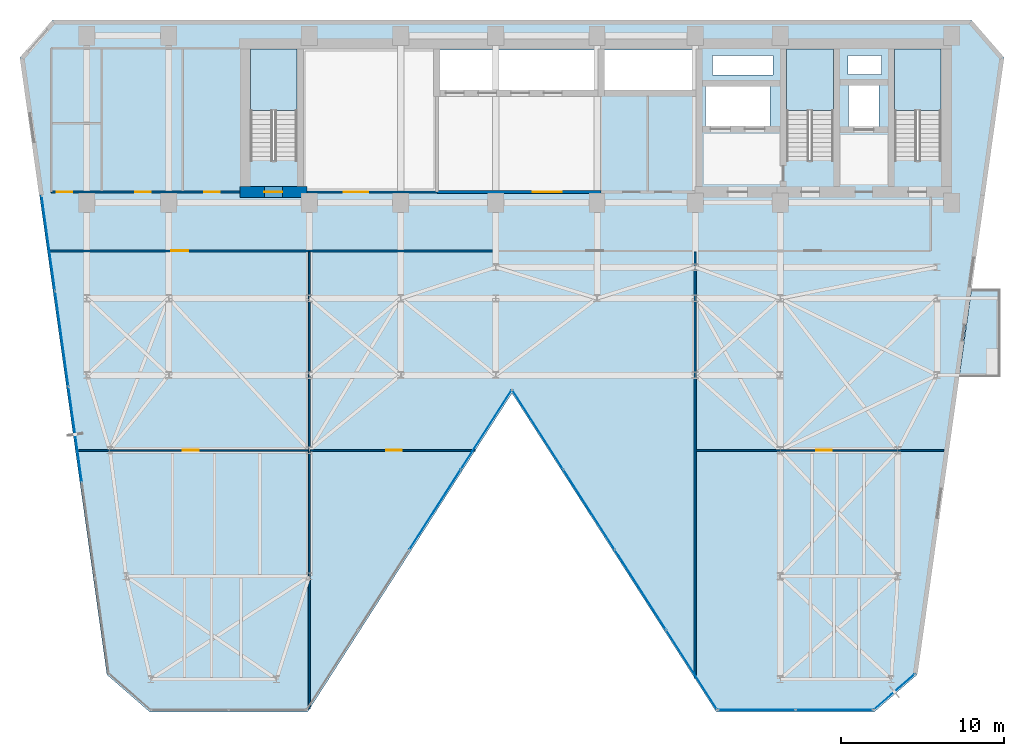
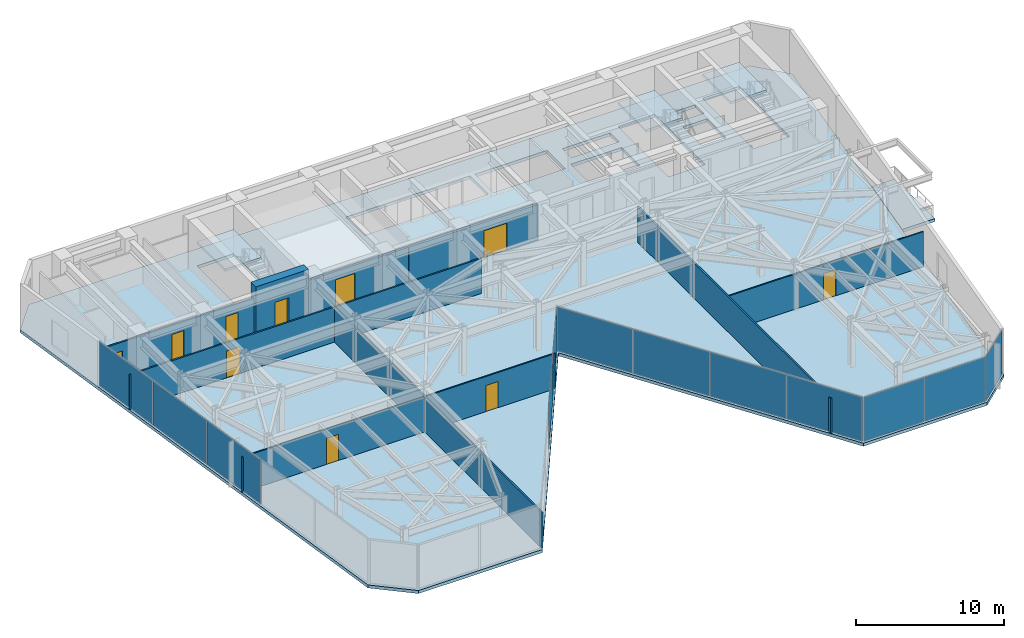
# One storey, part 21 of 26: 12 plates, 10 doors, 10 walls, 5 slabs, 10 openings, 8 elements without a shape of their own.
"""IFC4 building model written with IfcOpenShell, lengths in metres."""

from ifc_helpers import new_model, si_unit, direction, frame, frame_2d, origin, origin_2d, place, context, subcontext, project, spatial, polyline, rectangle, outline, extrude, material, layer, layer_set, type_object, element, fill, aggregate, save


model = new_model("IFC4")

# Units and contexts
model_context = context("Model", 3, precision=1e-05, world=origin(), true_north=direction((0.0, 1.0)))
body_context = subcontext(model_context, "Body", "Model", "MODEL_VIEW")
ifc_project = project(units=[si_unit("LENGTHUNIT", "METRE"), si_unit("AREAUNIT", "SQUARE_METRE"), si_unit("VOLUMEUNIT", "CUBIC_METRE"), si_unit("PLANEANGLEUNIT", "RADIAN"), si_unit("MASSUNIT", "GRAM", prefix="KILO")], contexts=[model_context])

# Site, building, storey
site_placement = place(None, origin())
site = spatial("IfcSite", under=ifc_project, at=site_placement, CompositionType="ELEMENT")
building_placement = place(site_placement, origin())
building = spatial("IfcBuilding", under=site, at=building_placement, Name="Kravanh Interchange Tower", CompositionType="ELEMENT")
storey_placement = place(building_placement, frame((0.0, 0.0, 148.0)))
storey = spatial("IfcBuildingStorey", under=building, at=storey_placement, Name="L35", CompositionType="ELEMENT", Elevation=148.0)

# Slab
ifc_material_1 = material(Name="Concrete C50/60", Category="concrete")
ifc_layer_1 = layer(ifc_material_1, 0.25)
ifc_layer_set_1 = layer_set([ifc_layer_1], Name="Composite Floor Slab Concrete C50/60 250mm")
slab_type_1 = type_object("IfcSlabType", Name="Composite Floor Slab Concrete C50/60 250mm", PredefinedType="FLOOR", material=ifc_layer_set_1)
slab_1_placement = place(storey_placement, frame((0.0, 0.0, -0.25)))
element("IfcSlab", 1, at=slab_1_placement, inside=storey, type_object=slab_type_1, Name="L35 Structural Floor Slab", PredefinedType="FLOOR", context=body_context, shape_type="SweptSolid", body=[
    extrude(outline(polyline([(14.82470703125, 8.4775390625), (17.44482421875, 6.199951171875), (27.10009765625, 6.199951171875), (39.60009765625, 25.699951171875), (52.10009765625, 6.199951171875), (61.755126953125, 6.199951171875), (64.375244140625, 8.4775390625), (69.679931640625, 46.222412109375), (67.699951171875, 48.5), (11.5, 48.5), (9.52001953125, 46.222412109375), (14.82470703125, 8.4775390625)]), holes=[polyline([(65.85009765625, 39.925048828125), (65.85009765625, 46.75), (63.0, 46.75), (63.0, 39.925048828125), (65.85009765625, 39.925048828125)]), polyline([(59.25, 39.925048828125), (59.25, 46.75), (56.39990234375, 46.75), (56.39990234375, 39.925048828125), (59.25, 39.925048828125)]), polyline([(26.449951171875, 39.925048828125), (26.449951171875, 46.75), (23.60009765625, 46.75), (23.60009765625, 39.925048828125), (26.449951171875, 39.925048828125)]), polyline([(35.179931640625, 44.219970703125), (44.840087890625, 44.219970703125), (44.840087890625, 46.699951171875), (35.179931640625, 46.699951171875), (35.179931640625, 44.219970703125)]), polyline([(45.239990234375, 44.219970703125), (50.840087890625, 44.219970703125), (50.840087890625, 46.699951171875), (45.239990234375, 46.699951171875), (45.239990234375, 44.219970703125)]), polyline([(51.419921875, 42.02001953125), (55.3798828125, 42.02001953125), (55.3798828125, 44.47998046875), (51.419921875, 44.47998046875), (51.419921875, 42.02001953125)]), polyline([(60.179931640625, 41.97998046875), (62.06005859375, 41.97998046875), (62.06005859375, 44.52001953125), (60.179931640625, 44.52001953125), (60.179931640625, 41.97998046875)]), polyline([(60.14990234375, 45.199951171875), (62.199951171875, 45.199951171875), (62.199951171875, 46.35009765625), (60.14990234375, 46.35009765625), (60.14990234375, 45.199951171875)]), polyline([(51.85009765625, 45.14990234375), (55.550048828125, 45.14990234375), (55.550048828125, 46.35009765625), (51.85009765625, 46.35009765625), (51.85009765625, 45.14990234375)])]), origin(), (0.0, 0.0, 1.0), 0.25),
])

# Stair, slab
ifc_material_2 = material(Name="Concrete C50/60", Category="concrete")
stair_type = type_object("IfcStairType", Name="Core Fire Exit Dogleg Stair Concrete C50/60", PredefinedType="HALF_TURN_STAIR", material=ifc_material_2)
stair_1_placement = place(storey_placement, origin())
stair_1 = element("IfcStair", 2, at=stair_1_placement, inside=storey, type_object=stair_type, Name="L35 Exit Stair ST1", PredefinedType="HALF_TURN_STAIR")
ifc_material_3 = material(Name="Concrete C50/60", Category="concrete")
ifc_layer_2 = layer(ifc_material_3, 0.199951171875)
ifc_layer_set_2 = layer_set([ifc_layer_2], Name="Concrete C50/60 Stair Half-Landing Slab 200mm")
slab_type_2 = type_object("IfcSlabType", Name="Concrete C50/60 Stair Half-Landing Slab 200mm", PredefinedType="LANDING", material=ifc_layer_set_2)
slab_2_placement = place(storey_placement, frame((0.0, 0.0, 1.800048828125)))
slab_2 = element("IfcSlab", 3, at=slab_2_placement, type_object=slab_type_2, Name="ST1 landing 1", PredefinedType="LANDING", context=body_context, shape_type="SweptSolid", body=[
    extrude(outline(polyline([(65.85009765625, 42.97998046875), (65.85009765625, 46.75), (63.0, 46.75), (63.0, 42.97998046875), (65.85009765625, 42.97998046875)])), origin(), (0.0, 0.0, 1.0), 0.199951171875),
])
aggregate(stair_1, [slab_2])

stair_2_placement = place(storey_placement, origin())
stair_2 = element("IfcStair", 4, at=stair_2_placement, inside=storey, type_object=stair_type, Name="L35 Exit Stair ST2", PredefinedType="HALF_TURN_STAIR")
slab_3_placement = place(storey_placement, frame((0.0, 0.0, 1.800048828125)))
slab_3 = element("IfcSlab", 5, at=slab_3_placement, type_object=slab_type_2, Name="ST2 landing 1", PredefinedType="LANDING", context=body_context, shape_type="SweptSolid", body=[
    extrude(outline(polyline([(59.25, 42.97998046875), (59.25, 46.75), (56.39990234375, 46.75), (56.39990234375, 42.97998046875), (59.25, 42.97998046875)])), origin(), (0.0, 0.0, 1.0), 0.199951171875),
])
aggregate(stair_2, [slab_3])

stair_3_placement = place(storey_placement, origin())
stair_3 = element("IfcStair", 6, at=stair_3_placement, inside=storey, type_object=stair_type, Name="L35 Exit Stair ST3", PredefinedType="HALF_TURN_STAIR")
slab_4_placement = place(storey_placement, frame((0.0, 0.0, 1.800048828125)))
slab_4 = element("IfcSlab", 7, at=slab_4_placement, type_object=slab_type_2, Name="ST3 landing 1", PredefinedType="LANDING", context=body_context, shape_type="SweptSolid", body=[
    extrude(outline(polyline([(26.449951171875, 42.97998046875), (26.449951171875, 46.75), (23.60009765625, 46.75), (23.60009765625, 42.97998046875), (26.449951171875, 42.97998046875)])), origin(), (0.0, 0.0, 1.0), 0.199951171875),
])
aggregate(stair_3, [slab_4])

# Slab
ifc_material_4 = material(Name="Concrete C50/60", Category="concrete")
ifc_layer_3 = layer(ifc_material_4, 0.199951171875)
ifc_layer_set_3 = layer_set([ifc_layer_3], Name="Planted Tree Balcony Slab Concrete C50/60 200mm")
slab_type_3 = type_object("IfcSlabType", Name="Planted Tree Balcony Slab Concrete C50/60 200mm", PredefinedType="USERDEFINED", material=ifc_layer_set_3)
slab_5_placement = place(storey_placement, frame((0.0, 0.0, -0.25)))
element("IfcSlab", 8, at=slab_5_placement, inside=storey, type_object=slab_type_3, Name="L35 East Tree Planter Balcony Slab", ObjectType="BALCONY", PredefinedType="USERDEFINED", context=body_context, shape_type="SweptSolid", body=[
    extrude(outline(polyline([(69.489990234375, 32.070068359375), (69.489990234375, 26.669921875), (66.947021484375, 26.669921875), (67.7060546875, 32.070068359375), (69.489990234375, 32.070068359375)])), origin(), (0.0, 0.0, 1.0), 0.25),
])

# Curtain wall, plates
ifc_material_5 = material(Name="Anodised Bronze Aluminium", Category="aluminium")
ifc_layer_4 = layer(ifc_material_5, 0.179931640625)
ifc_layer_set_4 = layer_set([ifc_layer_4], Name="Unitised Curtain Wall System CW-Z2 Mid Office")
curtain_wall_type = type_object("IfcCurtainWallType", Name="Unitised Curtain Wall System CW-Z2 Mid Office", PredefinedType="NOTDEFINED", material=ifc_layer_set_4)
curtain_wall_1_placement = place(storey_placement, origin())
curtain_wall_1 = element("IfcCurtainWall", 9, at=curtain_wall_1_placement, inside=storey, type_object=curtain_wall_type, Name="L35 Unitised Curtain Wall CW-L35-01", PredefinedType="NOTDEFINED")
ifc_material_6 = material(Name="Low-E Laminated Architectural Glass", Category="glass")
ifc_layer_5 = layer(ifc_material_6, 0.02587890625)
ifc_layer_set_5 = layer_set([ifc_layer_5], Name="Solar-Control Double Glazing 26mm")
plate_type = type_object("IfcPlateType", Name="Solar-Control Double Glazing 26mm", PredefinedType="CURTAIN_PANEL", material=ifc_layer_set_5)
plate_1_placement = place(storey_placement, frame((12.881103515625, 23.16943359375, 0.06005859375), z_axis=(0.0, 0.0, 1.0), x_axis=(-0.13917285118, 0.990268103846, 0.0)))
plate_1 = element("IfcPlate", 10, at=plate_1_placement, type_object=plate_type, Name="CW-Z2 panel 3.1", PredefinedType="CURTAIN_PANEL", context=body_context, shape_type="SweptSolid", body=[
    extrude(rectangle(XDim=5.849853515625, YDim=0.02587890625, at=origin_2d()), origin(), (0.0, 0.0, 1.0), 3.6298828125),
])
plate_2_placement = place(storey_placement, frame((12.058837890625, 29.021728515625, 0.06005859375), z_axis=(0.0, 0.0, 1.0), x_axis=(-0.13917285118, 0.990268103846, 0.0)))
plate_2 = element("IfcPlate", 11, at=plate_2_placement, type_object=plate_type, Name="CW-Z2 panel 4.1", PredefinedType="CURTAIN_PANEL", context=body_context, shape_type="SweptSolid", body=[
    extrude(rectangle(XDim=5.849853515625, YDim=0.02587890625, at=origin_2d()), origin(), (0.0, 0.0, 1.0), 3.6298828125),
])
plate_3_placement = place(storey_placement, frame((11.23828125, 34.859130859375, 0.06005859375), z_axis=(0.0, 0.0, 1.0), x_axis=(-0.13917285118, 0.990268103846, 0.0)))
plate_3 = element("IfcPlate", 12, at=plate_3_placement, type_object=plate_type, Name="CW-Z2 panel 5.1", PredefinedType="CURTAIN_PANEL", context=body_context, shape_type="SweptSolid", body=[
    extrude(rectangle(XDim=5.81982421875, YDim=0.02587890625, at=origin_2d()), origin(), (0.0, 0.0, 1.0), 3.6298828125),
])
aggregate(curtain_wall_1, [plate_1, plate_2, plate_3])

# Curtain wall, plate
curtain_wall_2_placement = place(storey_placement, origin())
curtain_wall_2 = element("IfcCurtainWall", 13, at=curtain_wall_2_placement, inside=storey, type_object=curtain_wall_type, Name="L35 Unitised Curtain Wall CW-L35-02", PredefinedType="NOTDEFINED")
plate_4_placement = place(storey_placement, frame((62.986328125, 7.429443359375, 0.06005859375), z_axis=(0.0, 0.0, 1.0), x_axis=(-0.754719458103, -0.656047665617, 0.0)))
plate_4 = element("IfcPlate", 14, at=plate_4_placement, type_object=plate_type, Name="CW-Z2 panel 1.1", PredefinedType="CURTAIN_PANEL", context=body_context, shape_type="SweptSolid", body=[
    extrude(rectangle(XDim=3.261962890625, YDim=0.02587890625, at=origin_2d()), origin(), (0.0, 0.0, 1.0), 3.6298828125),
])
aggregate(curtain_wall_2, [plate_4])

# Curtain wall, plates
curtain_wall_3_placement = place(storey_placement, origin())
curtain_wall_3 = element("IfcCurtainWall", 15, at=curtain_wall_3_placement, inside=storey, type_object=curtain_wall_type, Name="L35 Unitised Curtain Wall CW-L35-03", PredefinedType="NOTDEFINED")
plate_5_placement = place(storey_placement, frame((59.30908203125, 6.320068359375, 0.06005859375), z_axis=(0.0, 0.0, 1.0), x_axis=(-1.0, 0.0, 0.0)))
plate_5 = element("IfcPlate", 16, at=plate_5_placement, type_object=plate_type, Name="CW-Z2 panel 1.1", PredefinedType="CURTAIN_PANEL", context=body_context, shape_type="SweptSolid", body=[
    extrude(rectangle(XDim=4.682373046875, YDim=0.02587890625, at=origin_2d()), origin(), (0.0, 0.0, 1.0), 3.6298828125),
])
plate_6_placement = place(storey_placement, frame((54.566650390625, 6.320068359375, 0.06005859375), z_axis=(0.0, 0.0, 1.0), x_axis=(-1.0, 0.0, 0.0)))
plate_6 = element("IfcPlate", 17, at=plate_6_placement, type_object=plate_type, Name="CW-Z2 panel 2.1", PredefinedType="CURTAIN_PANEL", context=body_context, shape_type="SweptSolid", body=[
    extrude(rectangle(XDim=4.682373046875, YDim=0.02587890625, at=origin_2d()), origin(), (0.0, 0.0, 1.0), 3.6298828125),
])
aggregate(curtain_wall_3, [plate_5, plate_6])

curtain_wall_4_placement = place(storey_placement, origin())
curtain_wall_4 = element("IfcCurtainWall", 18, at=curtain_wall_4_placement, inside=storey, type_object=curtain_wall_type, Name="L35 Unitised Curtain Wall CW-L35-04", PredefinedType="NOTDEFINED")
plate_7_placement = place(storey_placement, frame((50.5869140625, 8.782958984375, 0.06005859375), z_axis=(0.0, 0.0, 1.0), x_axis=(-0.539664865919, 0.841879939476, 0.0)))
plate_7 = element("IfcPlate", 19, at=plate_7_placement, type_object=plate_type, Name="CW-Z2 panel 1.1", PredefinedType="CURTAIN_PANEL", context=body_context, shape_type="SweptSolid", body=[
    extrude(rectangle(XDim=5.73095703125, YDim=0.02587890625, at=origin_2d()), origin(), (0.0, 0.0, 1.0), 3.6298828125),
])
plate_8_placement = place(storey_placement, frame((47.45361328125, 13.6708984375, 0.06005859375), z_axis=(0.0, 0.0, 1.0), x_axis=(-0.539664865919, 0.841879939476, 0.0)))
plate_8 = element("IfcPlate", 20, at=plate_8_placement, type_object=plate_type, Name="CW-Z2 panel 2.1", PredefinedType="CURTAIN_PANEL", context=body_context, shape_type="SweptSolid", body=[
    extrude(rectangle(XDim=5.760986328125, YDim=0.02587890625, at=origin_2d()), origin(), (0.0, 0.0, 1.0), 3.6298828125),
])
plate_9_placement = place(storey_placement, frame((44.31201171875, 18.571533203125, 0.06005859375), z_axis=(0.0, 0.0, 1.0), x_axis=(-0.539664865919, 0.841879939476, 0.0)))
plate_9 = element("IfcPlate", 21, at=plate_9_placement, type_object=plate_type, Name="CW-Z2 panel 3.1", PredefinedType="CURTAIN_PANEL", context=body_context, shape_type="SweptSolid", body=[
    extrude(rectangle(XDim=5.760986328125, YDim=0.02587890625, at=origin_2d()), origin(), (0.0, 0.0, 1.0), 3.6298828125),
])
plate_10_placement = place(storey_placement, frame((41.1787109375, 23.45947265625, 0.06005859375), z_axis=(0.0, 0.0, 1.0), x_axis=(-0.539664865919, 0.841879939476, 0.0)))
plate_10 = element("IfcPlate", 22, at=plate_10_placement, type_object=plate_type, Name="CW-Z2 panel 4.1", PredefinedType="CURTAIN_PANEL", context=body_context, shape_type="SweptSolid", body=[
    extrude(rectangle(XDim=5.73095703125, YDim=0.02587890625, at=origin_2d()), origin(), (0.0, 0.0, 1.0), 3.6298828125),
])
aggregate(curtain_wall_4, [plate_7, plate_8, plate_9, plate_10])

curtain_wall_5_placement = place(storey_placement, origin())
curtain_wall_5 = element("IfcCurtainWall", 23, at=curtain_wall_5_placement, inside=storey, type_object=curtain_wall_type, Name="L35 Unitised Curtain Wall CW-L35-05", PredefinedType="NOTDEFINED")
plate_11_placement = place(storey_placement, frame((38.021240234375, 23.45947265625, 0.06005859375), z_axis=(0.0, 0.0, 1.0), x_axis=(-0.539664865919, -0.841879939476, 0.0)))
plate_11 = element("IfcPlate", 24, at=plate_11_placement, type_object=plate_type, Name="CW-Z2 panel 1.1", PredefinedType="CURTAIN_PANEL", context=body_context, shape_type="SweptSolid", body=[
    extrude(rectangle(XDim=5.73095703125, YDim=0.02587890625, at=origin_2d()), origin(), (0.0, 0.0, 1.0), 3.6298828125),
])
plate_12_placement = place(storey_placement, frame((34.887939453125, 18.571533203125, 0.06005859375), z_axis=(0.0, 0.0, 1.0), x_axis=(-0.539664865919, -0.841879939476, 0.0)))
plate_12 = element("IfcPlate", 25, at=plate_12_placement, type_object=plate_type, Name="CW-Z2 panel 2.1", PredefinedType="CURTAIN_PANEL", context=body_context, shape_type="SweptSolid", body=[
    extrude(rectangle(XDim=5.760986328125, YDim=0.02587890625, at=origin_2d()), origin(), (0.0, 0.0, 1.0), 3.6298828125),
])
aggregate(curtain_wall_5, [plate_11, plate_12])

# Wall, openings, doors
ifc_material_7 = material(Name="Double Acoustic Gypsum Board and Mineral Wool")
ifc_layer_6 = layer(ifc_material_7, 0.1201171875)
ifc_layer_set_6 = layer_set([ifc_layer_6], Name="Acoustic Office Drywall Partition 120mm")
wall_type_1 = type_object("IfcWallType", Name="Acoustic Office Drywall Partition 120mm", PredefinedType="PARTITIONING", material=ifc_layer_set_6)
wall_1_placement = place(storey_placement, frame((11.419921875, 38.0, 0.0), z_axis=(0.0, 0.0, 1.0), x_axis=(1.0, 0.0, 0.0)))
wall_1 = element("IfcWall", 26, at=wall_1_placement, inside=storey, type_object=wall_type_1, Name="L35 Restroom Corridor Wall 6", PredefinedType="PARTITIONING", context=body_context, shape_type="SweptSolid", body=[
    extrude(rectangle(XDim=11.530029296875, YDim=0.1201171875, at=frame_2d((5.76513671875, 0.0))), origin(), (0.0, 0.0, 1.0), 2.89404296875),
])
opening_1_placement = place(wall_1_placement, frame((0.3427734375, 0.0, 0.0)))
opening_1 = element("IfcOpeningElement", 27, at=opening_1_placement, cuts=wall_1, Name="Opening D-95", PredefinedType="OPENING", context=body_context, shape_type="SweptSolid", body=[
    extrude(rectangle(XDim=0.949951171875, YDim=2.14990234375, at=frame_2d((0.47509765625, 1.074951171875))), frame((0.0, 0.070068359375, 0.0), z_axis=(0.0, -1.0, 0.0), x_axis=(1.0, 0.0, 0.0)), (0.0, 0.0, 1.0), 0.14013671875),
])
opening_2_placement = place(wall_1_placement, frame((5.130126953125, 0.0, 0.0)))
opening_2 = element("IfcOpeningElement", 28, at=opening_2_placement, cuts=wall_1, Name="Opening D-95", PredefinedType="OPENING", context=body_context, shape_type="SweptSolid", body=[
    extrude(rectangle(XDim=0.949951171875, YDim=2.14990234375, at=frame_2d((0.47509765625, 1.074951171875))), frame((0.0, 0.070068359375, 0.0), z_axis=(0.0, -1.0, 0.0), x_axis=(1.0, 0.0, 0.0)), (0.0, 0.0, 1.0), 0.14013671875),
])
opening_3_placement = place(wall_1_placement, frame((9.344970703125, 0.0, 0.0)))
opening_3 = element("IfcOpeningElement", 29, at=opening_3_placement, cuts=wall_1, Name="Opening D-95", PredefinedType="OPENING", context=body_context, shape_type="SweptSolid", body=[
    extrude(rectangle(XDim=0.949951171875, YDim=2.14990234375, at=frame_2d((0.47509765625, 1.074951171875))), frame((0.0, 0.070068359375, 0.0), z_axis=(0.0, -1.0, 0.0), x_axis=(1.0, 0.0, 0.0)), (0.0, 0.0, 1.0), 0.14013671875),
])
ifc_material_8 = material(Name="Laminate Solid-Core Timber", Category="wood")
door_type_1 = type_object("IfcDoorType", Name="Accessible Restroom Door 950x2150", OperationType="NOTDEFINED", PredefinedType="DOOR", material=ifc_material_8)
door_1_placement = place(opening_1_placement, origin())
door_1 = element("IfcDoor", 30, at=door_1_placement, inside=storey, type_object=door_type_1, Name="L35 Accessible WC Door", OperationType="SINGLE_SWING_LEFT", OverallHeight=2.14990234375, OverallWidth=0.949951171875, PredefinedType="DOOR", context=body_context, shape_type="SweptSolid", body=[
    extrude(rectangle(XDim=0.949951171875, YDim=2.14990234375, at=frame_2d((0.47509765625, 1.074951171875))), frame((0.0, 0.02490234375, 0.0), z_axis=(0.0, -1.0, 0.0), x_axis=(1.0, 0.0, 0.0)), (0.0, 0.0, 1.0), 0.050048828125),
])
fill(opening_1, door_1)
door_2_placement = place(opening_2_placement, origin())
door_2 = element("IfcDoor", 31, at=door_2_placement, inside=storey, type_object=door_type_1, Name="L35 Female WC Door", OperationType="SINGLE_SWING_RIGHT", OverallHeight=2.14990234375, OverallWidth=0.949951171875, PredefinedType="DOOR", context=body_context, shape_type="SweptSolid", body=[
    extrude(rectangle(XDim=0.949951171875, YDim=2.14990234375, at=frame_2d((0.47509765625, 1.074951171875))), frame((0.0, 0.02490234375, 0.0), z_axis=(0.0, -1.0, 0.0), x_axis=(1.0, 0.0, 0.0)), (0.0, 0.0, 1.0), 0.050048828125),
])
fill(opening_2, door_2)
door_3_placement = place(opening_3_placement, origin())
door_3 = element("IfcDoor", 32, at=door_3_placement, inside=storey, type_object=door_type_1, Name="L35 Male WC Door", OperationType="SINGLE_SWING_LEFT", OverallHeight=2.14990234375, OverallWidth=0.949951171875, PredefinedType="DOOR", context=body_context, shape_type="SweptSolid", body=[
    extrude(rectangle(XDim=0.949951171875, YDim=2.14990234375, at=frame_2d((0.47509765625, 1.074951171875))), frame((0.0, 0.02490234375, 0.0), z_axis=(0.0, -1.0, 0.0), x_axis=(1.0, 0.0, 0.0)), (0.0, 0.0, 1.0), 0.050048828125),
])
fill(opening_3, door_3)

# Wall, opening, door
wall_2_placement = place(storey_placement, frame((11.19677734375, 34.39990234375, 0.0), z_axis=(0.0, 0.0, 1.0), x_axis=(1.0, 0.0, 0.0)))
wall_2 = element("IfcWall", 33, at=wall_2_placement, inside=storey, type_object=wall_type_1, Name="L35 Interior Partition 12", PredefinedType="PARTITIONING", context=body_context, shape_type="SweptSolid", body=[
    extrude(rectangle(XDim=27.4033203125, YDim=0.1201171875, at=frame_2d((13.70166015625, 0.0))), origin(), (0.0, 0.0, 1.0), 2.89404296875),
])
opening_4_placement = place(wall_2_placement, frame((7.548095703125, 0.0, 0.0)))
opening_4 = element("IfcOpeningElement", 34, at=opening_4_placement, cuts=wall_2, Name="Opening D-105", PredefinedType="OPENING", context=body_context, shape_type="SweptSolid", body=[
    extrude(rectangle(XDim=1.050048828125, YDim=2.199951171875, at=frame_2d((0.52490234375, 1.10009765625))), frame((0.0, 0.070068359375, 0.0), z_axis=(0.0, -1.0, 0.0), x_axis=(1.0, 0.0, 0.0)), (0.0, 0.0, 1.0), 0.14013671875),
])
ifc_material_9 = material(Name="Acoustic Glazed Oak and Aluminium", Category="aluminium")
door_type_2 = type_object("IfcDoorType", Name="Office Workplace Door 1050x2200", OperationType="NOTDEFINED", PredefinedType="DOOR", material=ifc_material_9)
door_4_placement = place(opening_4_placement, origin())
door_4 = element("IfcDoor", 35, at=door_4_placement, inside=storey, type_object=door_type_2, Name="L35 West Registry Archive Store 6A Door", OperationType="SINGLE_SWING_RIGHT", OverallHeight=2.199951171875, OverallWidth=1.050048828125, PredefinedType="DOOR", context=body_context, shape_type="SweptSolid", body=[
    extrude(rectangle(XDim=1.050048828125, YDim=2.199951171875, at=frame_2d((0.52490234375, 1.10009765625))), frame((0.0, 0.02490234375, 0.0), z_axis=(0.0, -1.0, 0.0), x_axis=(1.0, 0.0, 0.0)), (0.0, 0.0, 1.0), 0.050048828125),
])
fill(opening_4, door_4)

# Walls
wall_3_placement = place(storey_placement, frame((27.199951171875, 6.3837890625, 0.0), z_axis=(0.0, 0.0, 1.0), x_axis=(0.0, 1.0, 0.0)))
element("IfcWall", 36, at=wall_3_placement, inside=storey, type_object=wall_type_1, Name="L35 Interior Partition 16", PredefinedType="PARTITIONING", context=body_context, shape_type="SweptSolid", body=[
    extrude(rectangle(XDim=27.9482421875, YDim=0.1201171875, at=frame_2d((13.97412109375, 0.0))), origin(), (0.0, 0.0, 1.0), 2.89404296875),
])
wall_4_placement = place(storey_placement, frame((50.800048828125, 8.255859375, 0.0), z_axis=(0.0, 0.0, 1.0), x_axis=(0.0, 1.0, 0.0)))
element("IfcWall", 37, at=wall_4_placement, inside=storey, type_object=wall_type_1, Name="L35 Interior Partition 18", PredefinedType="PARTITIONING", context=body_context, shape_type="SweptSolid", body=[
    extrude(rectangle(XDim=26.076171875, YDim=0.1201171875, at=frame_2d((13.0380859375, 0.0))), origin(), (0.0, 0.0, 1.0), 2.89404296875),
])

# Wall, opening, door
ifc_material_10 = material(Name="Concrete C70/85", Category="concrete")
ifc_layer_7 = layer(ifc_material_10, 0.64990234375)
ifc_layer_set_7 = layer_set([ifc_layer_7], Name="Core Shear Wall Concrete C70/85 650mm")
wall_type_2 = type_object("IfcWallType", Name="Core Shear Wall Concrete C70/85 650mm", PredefinedType="SHEAR", material=ifc_layer_set_7)
wall_5_placement = place(storey_placement, frame((22.949951171875, 38.0, 0.0), z_axis=(0.0, 0.0, 1.0), x_axis=(1.0, 0.0, 0.0)))
wall_5 = element("IfcWall", 38, at=wall_5_placement, inside=storey, type_object=wall_type_2, Name="L35 Stair ST3 South Shear Wall", PredefinedType="SHEAR", context=body_context, shape_type="SweptSolid", body=[
    extrude(rectangle(XDim=4.10009765625, YDim=0.64990234375, at=frame_2d((2.050048828125, 0.0))), origin(), (0.0, 0.0, 1.0), 4.0),
])
opening_5_placement = place(wall_5_placement, frame((1.5, 0.0, 0.0)))
opening_5 = element("IfcOpeningElement", 39, at=opening_5_placement, cuts=wall_5, Name="Opening D-STAIR-110", PredefinedType="OPENING", context=body_context, shape_type="SweptSolid", body=[
    extrude(rectangle(XDim=1.10009765625, YDim=2.199951171875, at=frame_2d((0.550048828125, 1.10009765625))), frame((0.0, 0.3349609375, 0.0), z_axis=(0.0, -1.0, 0.0), x_axis=(1.0, 0.0, 0.0)), (0.0, 0.0, 1.0), 0.669921875),
])
ifc_material_11 = material(Name="Structural Steel S355", Category="steel")
door_type_3 = type_object("IfcDoorType", Name="Fire-Rated Exit Stair Door 1100x2200", OperationType="NOTDEFINED", PredefinedType="DOOR", material=ifc_material_11)
door_5_placement = place(opening_5_placement, origin())
door_5 = element("IfcDoor", 40, at=door_5_placement, inside=storey, type_object=door_type_3, Name="L35 Exit Stair ST3 Door", OperationType="SINGLE_SWING_RIGHT", OverallHeight=2.199951171875, OverallWidth=1.10009765625, PredefinedType="DOOR", context=body_context, shape_type="SweptSolid", body=[
    extrude(rectangle(XDim=1.10009765625, YDim=2.199951171875, at=frame_2d((0.550048828125, 1.10009765625))), frame((0.0, 0.02490234375, 0.0), z_axis=(0.0, -1.0, 0.0), x_axis=(1.0, 0.0, 0.0)), (0.0, 0.0, 1.0), 0.050048828125),
])
fill(opening_5, door_5)

ifc_material_12 = material(Name="Moisture-Resistant Gypsum Board and Mineral Wool")
ifc_layer_8 = layer(ifc_material_12, 0.10009765625)
ifc_layer_set_8 = layer_set([ifc_layer_8], Name="En-Suite Moisture-Resistant Partition 100mm")
wall_type_3 = type_object("IfcWallType", Name="En-Suite Moisture-Resistant Partition 100mm", PredefinedType="PARTITIONING", material=ifc_layer_set_8)
wall_6_placement = place(storey_placement, frame((12.911376953125, 22.199951171875, 0.0), z_axis=(0.0, 0.0, 1.0), x_axis=(1.0, 0.0, 0.0)))
wall_6 = element("IfcWall", 41, at=wall_6_placement, inside=storey, type_object=wall_type_3, Name="L35 Interior Partition 15", PredefinedType="PARTITIONING", context=body_context, shape_type="SweptSolid", body=[
    extrude(rectangle(XDim=14.220703125, YDim=0.10009765625, at=frame_2d((7.1103515625, 0.0))), origin(), (0.0, 0.0, 1.0), 2.89404296875),
])
opening_6_placement = place(wall_6_placement, frame((6.564208984375, 0.0, 0.0)))
opening_6 = element("IfcOpeningElement", 42, at=opening_6_placement, cuts=wall_6, Name="Opening D-95", PredefinedType="OPENING", context=body_context, shape_type="SweptSolid", body=[
    extrude(rectangle(XDim=0.949951171875, YDim=2.14990234375, at=frame_2d((0.47509765625, 1.074951171875))), frame((0.0, 0.06005859375, 0.0), z_axis=(0.0, -1.0, 0.0), x_axis=(1.0, 0.0, 0.0)), (0.0, 0.0, 1.0), 0.1201171875),
])
door_6_placement = place(opening_6_placement, origin())
door_6 = element("IfcDoor", 43, at=door_6_placement, inside=storey, type_object=door_type_1, Name="L35 SW Patent Archive Store 6D Inner Door", OperationType="SINGLE_SWING_LEFT", OverallHeight=2.14990234375, OverallWidth=0.949951171875, PredefinedType="DOOR", context=body_context, shape_type="SweptSolid", body=[
    extrude(rectangle(XDim=0.949951171875, YDim=2.14990234375, at=frame_2d((0.47509765625, 1.074951171875))), frame((0.0, 0.02490234375, 0.0), z_axis=(0.0, -1.0, 0.0), x_axis=(1.0, 0.0, 0.0)), (0.0, 0.0, 1.0), 0.050048828125),
])
fill(opening_6, door_6)

wall_7_placement = place(storey_placement, frame((27.26806640625, 22.199951171875, 0.0), z_axis=(0.0, 0.0, 1.0), x_axis=(1.0, 0.0, 0.0)))
wall_7 = element("IfcWall", 44, at=wall_7_placement, inside=storey, type_object=wall_type_3, Name="L35 Interior Partition 17", PredefinedType="PARTITIONING", context=body_context, shape_type="SweptSolid", body=[
    extrude(rectangle(XDim=10.070556640625, YDim=0.10009765625, at=frame_2d((5.03515625, 0.0))), origin(), (0.0, 0.0, 1.0), 2.89404296875),
])
opening_7_placement = place(wall_7_placement, frame((4.631103515625, 0.0, 0.0)))
opening_7 = element("IfcOpeningElement", 45, at=opening_7_placement, cuts=wall_7, Name="Opening D-95", PredefinedType="OPENING", context=body_context, shape_type="SweptSolid", body=[
    extrude(rectangle(XDim=0.949951171875, YDim=2.14990234375, at=frame_2d((0.47509765625, 1.074951171875))), frame((0.0, 0.06005859375, 0.0), z_axis=(0.0, -1.0, 0.0), x_axis=(1.0, 0.0, 0.0)), (0.0, 0.0, 1.0), 0.1201171875),
])
door_7_placement = place(opening_7_placement, origin())
door_7 = element("IfcDoor", 46, at=door_7_placement, inside=storey, type_object=door_type_1, Name="L35 South Evidence Vault Store 6E Inner Door", OperationType="SINGLE_SWING_LEFT", OverallHeight=2.14990234375, OverallWidth=0.949951171875, PredefinedType="DOOR", context=body_context, shape_type="SweptSolid", body=[
    extrude(rectangle(XDim=0.949951171875, YDim=2.14990234375, at=frame_2d((0.47509765625, 1.074951171875))), frame((0.0, 0.02490234375, 0.0), z_axis=(0.0, -1.0, 0.0), x_axis=(1.0, 0.0, 0.0)), (0.0, 0.0, 1.0), 0.050048828125),
])
fill(opening_7, door_7)

wall_8_placement = place(storey_placement, frame((50.867919921875, 22.199951171875, 0.0), z_axis=(0.0, 0.0, 1.0), x_axis=(1.0, 0.0, 0.0)))
wall_8 = element("IfcWall", 47, at=wall_8_placement, inside=storey, type_object=wall_type_3, Name="L35 Interior Partition 19", PredefinedType="PARTITIONING", context=body_context, shape_type="SweptSolid", body=[
    extrude(rectangle(XDim=15.14794921875, YDim=0.10009765625, at=frame_2d((7.573974609375, 0.0))), origin(), (0.0, 0.0, 1.0), 2.89404296875),
])
opening_8_placement = place(wall_8_placement, frame((7.34619140625, 0.0, 0.0)))
opening_8 = element("IfcOpeningElement", 48, at=opening_8_placement, cuts=wall_8, Name="Opening D-95", PredefinedType="OPENING", context=body_context, shape_type="SweptSolid", body=[
    extrude(rectangle(XDim=0.949951171875, YDim=2.14990234375, at=frame_2d((0.47509765625, 1.074951171875))), frame((0.0, 0.06005859375, 0.0), z_axis=(0.0, -1.0, 0.0), x_axis=(1.0, 0.0, 0.0)), (0.0, 0.0, 1.0), 0.1201171875),
])
door_8_placement = place(opening_8_placement, origin())
door_8 = element("IfcDoor", 49, at=door_8_placement, inside=storey, type_object=door_type_1, Name="L35 SE Compliance Office 6F Inner Door", OperationType="SINGLE_SWING_LEFT", OverallHeight=2.14990234375, OverallWidth=0.949951171875, PredefinedType="DOOR", context=body_context, shape_type="SweptSolid", body=[
    extrude(rectangle(XDim=0.949951171875, YDim=2.14990234375, at=frame_2d((0.47509765625, 1.074951171875))), frame((0.0, 0.02490234375, 0.0), z_axis=(0.0, -1.0, 0.0), x_axis=(1.0, 0.0, 0.0)), (0.0, 0.0, 1.0), 0.050048828125),
])
fill(opening_8, door_8)

ifc_material_13 = material(Name="Autoclaved Aerated Concrete C30/37 Blockwork", Category="masonry")
ifc_layer_9 = layer(ifc_material_13, 0.179931640625)
ifc_layer_set_9 = layer_set([ifc_layer_9], Name="Fire-Rated Lobby and Corridor Wall Concrete C30/37 180mm")
wall_type_4 = type_object("IfcWallType", Name="Fire-Rated Lobby and Corridor Wall Concrete C30/37 180mm", PredefinedType="STANDARD", material=ifc_layer_set_9)
wall_9_placement = place(storey_placement, frame((35.0, 38.0, 0.0), z_axis=(0.0, 0.0, 1.0), x_axis=(1.0, 0.0, 0.0)))
wall_9 = element("IfcWall", 50, at=wall_9_placement, inside=storey, type_object=wall_type_4, Name="L35 Interior Partition 5", PredefinedType="STANDARD", context=body_context, shape_type="SweptSolid", body=[
    extrude(rectangle(XDim=10.050048828125, YDim=0.179931640625, at=frame_2d((5.02490234375, 0.0))), origin(), (0.0, 0.0, 1.0), 2.89404296875),
])
opening_9_placement = place(wall_9_placement, frame((5.85791015625, 0.0, 0.0)))
opening_9 = element("IfcOpeningElement", 51, at=opening_9_placement, cuts=wall_9, Name="Opening DBL-180", PredefinedType="OPENING", context=body_context, shape_type="SweptSolid", body=[
    extrude(rectangle(XDim=1.800048828125, YDim=2.199951171875, at=frame_2d((0.89990234375, 1.10009765625))), frame((0.0, 0.10009765625, 0.0), z_axis=(0.0, -1.0, 0.0), x_axis=(1.0, 0.0, 0.0)), (0.0, 0.0, 1.0), 0.199951171875),
])
ifc_material_14 = material(Name="Structural Steel S355", Category="steel")
door_type_4 = type_object("IfcDoorType", Name="Lift Lobby Double Fire Door 1800x2200", OperationType="DOUBLE_DOOR_SINGLE_SWING", PredefinedType="DOOR", material=ifc_material_14)
door_9_placement = place(opening_9_placement, origin())
door_9 = element("IfcDoor", 52, at=door_9_placement, inside=storey, type_object=door_type_4, Name="L35 Mid-Rise Lift Lobby Door", OperationType="DOUBLE_DOOR_SINGLE_SWING", OverallHeight=2.199951171875, OverallWidth=1.800048828125, PredefinedType="DOOR", context=body_context, shape_type="SweptSolid", body=[
    extrude(rectangle(XDim=1.800048828125, YDim=2.199951171875, at=frame_2d((0.89990234375, 1.10009765625))), frame((0.0, 0.02490234375, 0.0), z_axis=(0.0, -1.0, 0.0), x_axis=(1.0, 0.0, 0.0)), (0.0, 0.0, 1.0), 0.050048828125),
])
fill(opening_9, door_9)

ifc_material_15 = material(Name="Twin Stud Acoustic Gypsum Board Wall")
ifc_layer_10 = layer(ifc_material_15, 0.14990234375)
ifc_layer_set_10 = layer_set([ifc_layer_10], Name="Medium-Duty Acoustic Partition 150mm")
wall_type_5 = type_object("IfcWallType", Name="Medium-Duty Acoustic Partition 150mm", PredefinedType="PARTITIONING", material=ifc_layer_set_10)
wall_10_placement = place(storey_placement, frame((27.050048828125, 38.0, 0.0), z_axis=(0.0, 0.0, 1.0), x_axis=(1.0, 0.0, 0.0)))
wall_10 = element("IfcWall", 53, at=wall_10_placement, inside=storey, type_object=wall_type_5, Name="L35 Interior Partition 3", PredefinedType="PARTITIONING", context=body_context, shape_type="SweptSolid", body=[
    extrude(rectangle(XDim=7.949951171875, YDim=0.14990234375, at=frame_2d((3.97509765625, 0.0))), origin(), (0.0, 0.0, 1.0), 2.89404296875),
])
opening_10_placement = place(wall_10_placement, frame((2.25, 0.0, 0.0)))
opening_10 = element("IfcOpeningElement", 54, at=opening_10_placement, cuts=wall_10, Name="Opening DBL-150", PredefinedType="OPENING", context=body_context, shape_type="SweptSolid", body=[
    extrude(rectangle(XDim=1.5, YDim=2.199951171875, at=frame_2d((0.75, 1.10009765625))), frame((0.0, 0.0849609375, 0.0), z_axis=(0.0, -1.0, 0.0), x_axis=(1.0, 0.0, 0.0)), (0.0, 0.0, 1.0), 0.169921875),
])
ifc_material_16 = material(Name="Acoustic Timber and Toughened Glass", Category="wood")
door_type_5 = type_object("IfcDoorType", Name="Conference Hall Double Door 1500x2200", OperationType="DOUBLE_DOOR_SINGLE_SWING", PredefinedType="DOOR", material=ifc_material_16)
door_10_placement = place(opening_10_placement, origin())
door_10 = element("IfcDoor", 55, at=door_10_placement, inside=storey, type_object=door_type_5, Name="L35 Core Wellness Studio Door", OperationType="DOUBLE_DOOR_SINGLE_SWING", OverallHeight=2.199951171875, OverallWidth=1.5, PredefinedType="DOOR", context=body_context, shape_type="SweptSolid", body=[
    extrude(rectangle(XDim=1.5, YDim=2.199951171875, at=frame_2d((0.75, 1.10009765625))), frame((0.0, 0.02490234375, 0.0), z_axis=(0.0, -1.0, 0.0), x_axis=(1.0, 0.0, 0.0)), (0.0, 0.0, 1.0), 0.050048828125),
])
fill(opening_10, door_10)

save(model, "model.ifc")
